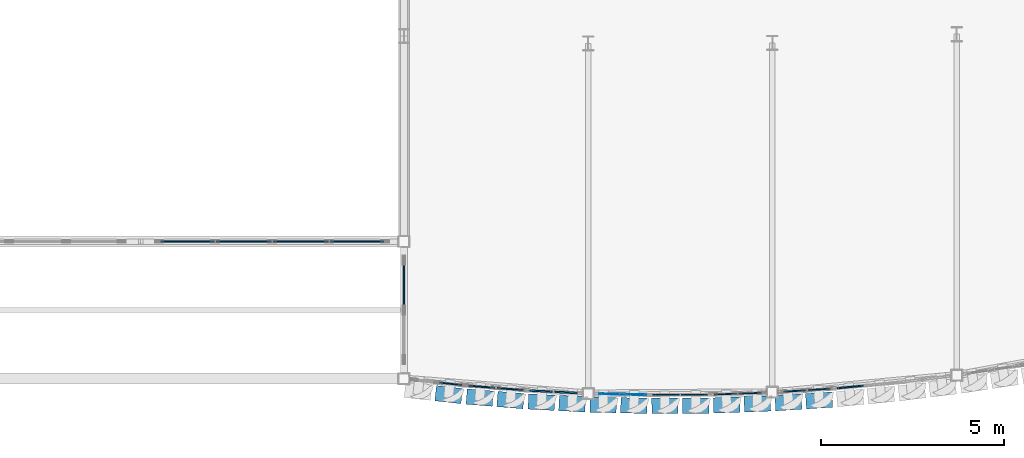
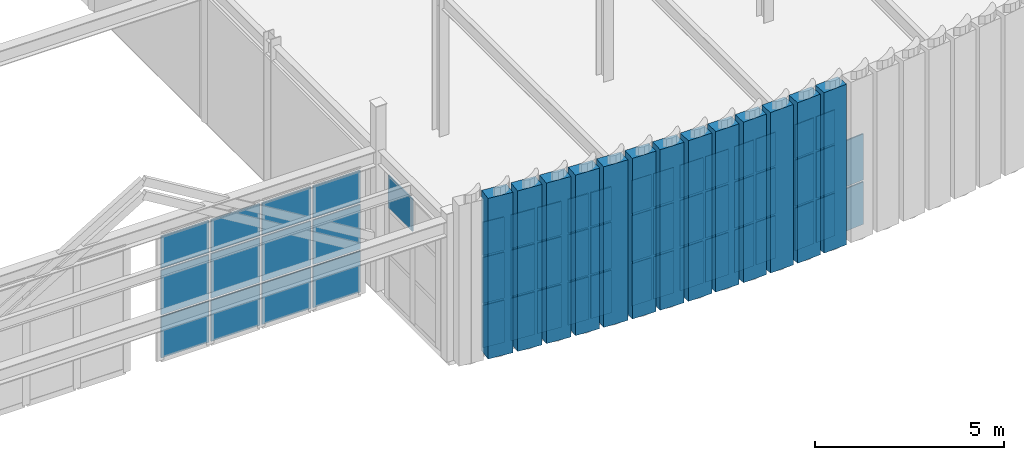
# One storey, part 89 of 126: 67 plates, 10 elements without a shape of their own.
"""IFC4 building model written with IfcOpenShell, lengths in metres."""

import ifcopenshell
import ifcopenshell.guid

model = None  # the IFC model being written
_history = None  # IfcOwnerHistory: only IFC2X3 demands one
_inside = {}  # id of a spatial element -> (the spatial element, [elements in it])
_under = {}  # id of a project, library or spatial element -> (it, [spatial elements below it])
_declared = {}  # id of a project -> (the project, [libraries it declares])
_typed = {}  # id of a type object -> (the type object, [elements of that type])
_made_of = {}  # id of a material, layer set ... -> (it, [elements and type objects made of it])


def new_model(schema):
    """Start an empty IFC model of exactly this schema.

    Asked for "IFC4X3", IfcOpenShell would pick the latest addendum, in which some entities
    have other attributes; the version numbers below select the first issue.
    IFC2X3 requires an IfcOwnerHistory on every rooted entity: one is made here for all.
    """
    global model, _history
    if schema == "IFC4X3":
        model = ifcopenshell.file(schema_version=(4, 3, 0, 0))
    else:
        model = ifcopenshell.file(schema=schema)
    _inside.clear()
    _under.clear()
    _declared.clear()
    _typed.clear()
    _made_of.clear()
    _history = None
    if model.schema == "IFC2X3":
        org = make("IfcOrganization", Name="unknown")
        user = make(
            "IfcPersonAndOrganization",
            ThePerson=make("IfcPerson", FamilyName="unknown"),
            TheOrganization=org,
        )
        app = make(
            "IfcApplication",
            ApplicationDeveloper=org,
            Version="unknown",
            ApplicationFullName="unknown",
            ApplicationIdentifier="unknown",
        )
        _history = make(
            "IfcOwnerHistory",
            OwningUser=user,
            OwningApplication=app,
            ChangeAction="ADDED",
            CreationDate=0,
        )
    return model


def make(cls, **values):
    """One entity of the class cls with the attributes given. An attribute that is None is left unset."""
    return model.create_entity(
        cls, **{name: value for name, value in values.items() if value is not None}
    )


def rooted(cls, **values):
    """An entity with a GlobalId (a new one), such as an element, a storey or a relation."""
    return make(cls, GlobalId=ifcopenshell.guid.new(), OwnerHistory=_history, **values)


def si_unit(unit_type, name, prefix=None):
    """IfcSIUnit, for example si_unit("LENGTHUNIT", "METRE", prefix="MILLI")."""
    return make("IfcSIUnit", UnitType=unit_type, Prefix=prefix, Name=name)


def assignment(units):
    """IfcUnitAssignment: the units of a project."""
    return None if units is None else make("IfcUnitAssignment", Units=units)


def point(xyz):
    """IfcCartesianPoint."""
    return None if xyz is None else make("IfcCartesianPoint", Coordinates=xyz)


def direction(xyz):
    """IfcDirection."""
    return None if xyz is None else make("IfcDirection", DirectionRatios=xyz)


def frame(location, z_axis=None, x_axis=None):
    """IfcAxis2Placement3D, a coordinate frame: its origin and axes. An axis left out is left unset."""
    return make(
        "IfcAxis2Placement3D",
        Location=point(location),
        Axis=direction(z_axis),
        RefDirection=direction(x_axis),
    )


def frame_2d(location, x_axis=None):
    """IfcAxis2Placement2D, a coordinate frame in the plane: its origin and x axis."""
    return make(
        "IfcAxis2Placement2D", Location=point(location), RefDirection=direction(x_axis)
    )


def origin():
    """The frame at (0, 0, 0) with its axes left unset."""
    return frame((0.0, 0.0, 0.0))


def origin_2d():
    """The frame at (0, 0) in the plane with its x axis left unset."""
    return frame_2d((0.0, 0.0))


def place(relative_to, where):
    """IfcLocalPlacement: puts the frame where relative to a parent placement (None: the world)."""
    return make(
        "IfcLocalPlacement", PlacementRelTo=relative_to, RelativePlacement=where
    )


def context(
    kind, dimensions, precision=None, world=None, true_north=None, identifier=None
):
    """IfcGeometricRepresentationContext, for example the 3D "Model" context."""
    return make(
        "IfcGeometricRepresentationContext",
        ContextIdentifier=identifier,
        ContextType=kind,
        CoordinateSpaceDimension=dimensions,
        Precision=precision,
        WorldCoordinateSystem=world,
        TrueNorth=true_north,
    )


def subcontext(parent, identifier, kind, view, scale=None):
    """IfcGeometricRepresentationSubContext, for example "Body" below "Model"."""
    return make(
        "IfcGeometricRepresentationSubContext",
        ContextIdentifier=identifier,
        ContextType=kind,
        ParentContext=parent,
        TargetScale=scale,
        TargetView=view,
    )


def project(units=None, contexts=None):
    """IfcProject with its units and contexts."""
    return rooted(
        "IfcProject",
        Name="project",
        RepresentationContexts=contexts,
        UnitsInContext=assignment(units),
    )


def spatial(cls, under=None, at=None, **own):
    """A site, building, storey or space (cls), placed at a placement, below another one or the project."""
    s = rooted(cls, ObjectPlacement=at, **own)
    if under is not None:
        _under.setdefault(under.id(), (under, []))[1].append(s)
    return s


def profile(cls, at=None, kind="AREA", **sizes):
    """A parametric profile (cls). Its sizes go by their IFC names, for example OverallWidth=200.0."""
    return make(cls, ProfileType=kind, Position=at, **sizes)


def rectangle(**sizes):
    """IfcRectangleProfileDef."""
    return profile("IfcRectangleProfileDef", **sizes)


def extrude(swept, where, along, depth):
    """IfcExtrudedAreaSolid: the profile swept, set in the frame where, extruded along a direction by depth."""
    return make(
        "IfcExtrudedAreaSolid",
        SweptArea=swept,
        Position=where,
        ExtrudedDirection=direction(along),
        Depth=depth,
    )


def shape(context_of_items, identifier, shape_type, items):
    """IfcShapeRepresentation: the items that make up one representation, for example the "Body"."""
    return make(
        "IfcShapeRepresentation",
        ContextOfItems=context_of_items,
        RepresentationIdentifier=identifier,
        RepresentationType=shape_type,
        Items=items,
    )


def material(Name=None, Category=None):
    """IfcMaterial."""
    return make("IfcMaterial", Name=Name, Category=Category)


def layer(
    of_material, thickness, ventilated=None, Name=None, Category=None, Priority=None
):
    """IfcMaterialLayer: one layer of a wall or slab, of a material (None: an air gap)."""
    return make(
        "IfcMaterialLayer",
        Material=of_material,
        LayerThickness=thickness,
        IsVentilated=ventilated,
        Name=Name,
        Category=Category,
        Priority=Priority,
    )


def layer_set(layers, Name=None):
    """IfcMaterialLayerSet."""
    return make("IfcMaterialLayerSet", MaterialLayers=layers, LayerSetName=Name)


def made_of(thing, what):
    """Note that an element or type object is made of a material, layer set ...; save() writes the relation."""
    if what is not None:
        _made_of.setdefault(what.id(), (what, []))[1].append(thing)
    return thing


def type_object(cls, material=None, **own):
    """A type object (cls), such as IfcWallType, which elements share."""
    return made_of(rooted(cls, **own), material)


def element(
    cls,
    number,
    at=None,
    inside=None,
    cuts=None,
    type_object=None,
    material=None,
    context=None,
    identifier="Body",
    shape_type=None,
    held_by="IfcProductDefinitionShape",
    body=None,
    shapes=None,
    **own,
):
    """One element of the class cls, such as IfcWall. Its Tag is "e" and its number.

    at: its placement. inside: the storey or other place that contains it. cuts: it is an
    opening in that element (IfcRelVoidsElement). A single representation is given by context,
    identifier, shape_type and body (its items); several are given by shapes. held_by: the class
    of the entity that holds the representations. save() writes the other relations.
    """
    e = rooted(cls, Tag="e%d" % number, ObjectPlacement=at, **own)
    if body is not None:
        shapes = [shape(context, identifier, shape_type, body)]
    if shapes is not None:
        e.Representation = make(held_by, Representations=shapes)
    if inside is not None:
        _inside.setdefault(inside.id(), (inside, []))[1].append(e)
    if cuts is not None:
        rooted(
            "IfcRelVoidsElement", RelatingBuildingElement=cuts, RelatedOpeningElement=e
        )
    if type_object is not None:
        _typed.setdefault(type_object.id(), (type_object, []))[1].append(e)
    return made_of(e, material)


def aggregate(whole, parts):
    """IfcRelAggregates: a whole, such as a stair, and the parts it consists of."""
    return rooted("IfcRelAggregates", RelatingObject=whole, RelatedObjects=parts)


def save(model, path):
    """Write the relations noted so far, then the file.

    IfcRelAggregates (storeys below a building ...), IfcRelContainedInSpatialStructure (elements
    in a storey), IfcRelDefinesByType, IfcRelAssociatesMaterial and IfcRelDeclares: one each for
    every whole, place, type object, material and project.
    """
    for whole, parts in _under.values():
        aggregate(whole, parts)
    for where, things in _inside.values():
        rooted(
            "IfcRelContainedInSpatialStructure",
            RelatedElements=things,
            RelatingStructure=where,
        )
    for kind, things in _typed.values():
        rooted("IfcRelDefinesByType", RelatedObjects=things, RelatingType=kind)
    for what, things in _made_of.values():
        rooted("IfcRelAssociatesMaterial", RelatedObjects=things, RelatingMaterial=what)
    for by, libraries in _declared.values():
        rooted("IfcRelDeclares", RelatingContext=by, RelatedDefinitions=libraries)
    model.write(path)


model = new_model("IFC4")

# Units and contexts
model_context = context("Model", 3, precision=1e-05, world=origin(), true_north=direction((0.0, 1.0)))
body_context = subcontext(model_context, "Body", "Model", "MODEL_VIEW")
ifc_project = project(units=[si_unit("LENGTHUNIT", "METRE"), si_unit("AREAUNIT", "SQUARE_METRE"), si_unit("VOLUMEUNIT", "CUBIC_METRE"), si_unit("PLANEANGLEUNIT", "RADIAN"), si_unit("MASSUNIT", "GRAM", prefix="KILO")], contexts=[model_context])

# Site, building, storey
site_placement = place(None, origin())
site = spatial("IfcSite", under=ifc_project, at=site_placement, CompositionType="ELEMENT")
building_placement = place(site_placement, origin())
building = spatial("IfcBuilding", under=site, at=building_placement, Name="Solvadek Multi-Sports Hall", CompositionType="ELEMENT")
storey_placement = place(building_placement, frame((0.0, 0.0, 9.60009765625)))
storey = spatial("IfcBuildingStorey", under=building, at=storey_placement, Name="L02", CompositionType="ELEMENT", Elevation=9.60009765625)

# Curtain wall, plates
ifc_material_1 = material(Name="Anodised aluminium", Category="aluminium")
ifc_layer_1 = layer(ifc_material_1, 0.159912109375, Name="Anodised aluminium")
ifc_layer_set_1 = layer_set([ifc_layer_1], Name="Anodised aluminium")
curtain_wall_type_1 = type_object("IfcCurtainWallType", Name="ENV-CW-141X420", PredefinedType="USERDEFINED", material=ifc_layer_set_1)
curtain_wall_1_placement = place(storey_placement, origin())
curtain_wall_1 = element("IfcCurtainWall", 1, at=curtain_wall_1_placement, inside=storey, type_object=curtain_wall_type_1, Name="L02 Crescent Curved Curtain Wall #62", ObjectType="CURTAIN WALL", PredefinedType="USERDEFINED")
ifc_material_2 = material(Name="Tempered laminated low-E glass", Category="glass")
ifc_layer_2 = layer(ifc_material_2, 0.02392578125, Name="Tempered laminated low-E glass")
ifc_layer_set_2 = layer_set([ifc_layer_2], Name="Tempered laminated low-E glass")
plate_type_1 = type_object("IfcPlateType", Name="ENV-CWP-01", PredefinedType="CURTAIN_PANEL", material=ifc_layer_set_2)
plate_1_placement = place(storey_placement, frame((92.04736328125, -13.173583984375, 0.06494140625), z_axis=(0.0, 0.0, 1.0), x_axis=(0.999742603622, -0.022687584801, 0.0)))
plate_1 = element("IfcPlate", 2, at=plate_1_placement, type_object=plate_type_1, Name="CW-28 panel 1.1", PredefinedType="CURTAIN_PANEL", context=body_context, shape_type="SweptSolid", body=[
    extrude(rectangle(XDim=0.615234375, YDim=0.02392578125, at=origin_2d()), origin(), (0.0, 0.0, 1.0), 1.37255859375),
])
plate_2_placement = place(storey_placement, frame((92.04736328125, -13.173583984375, 1.50244140625), z_axis=(0.0, 0.0, 1.0), x_axis=(0.999742603622, -0.022687584801, 0.0)))
plate_2 = element("IfcPlate", 3, at=plate_2_placement, type_object=plate_type_1, Name="CW-28 panel 1.2", PredefinedType="CURTAIN_PANEL", context=body_context, shape_type="SweptSolid", body=[
    extrude(rectangle(XDim=0.615234375, YDim=0.02392578125, at=origin_2d()), origin(), (0.0, 0.0, 1.0), 1.489013671875),
])
plate_3_placement = place(storey_placement, frame((92.04736328125, -13.173583984375, 3.056396484375), z_axis=(0.0, 0.0, 1.0), x_axis=(0.999742603622, -0.022687584801, 0.0)))
plate_3 = element("IfcPlate", 4, at=plate_3_placement, type_object=plate_type_1, Name="CW-28 panel 1.3", PredefinedType="CURTAIN_PANEL", context=body_context, shape_type="SweptSolid", body=[
    extrude(rectangle(XDim=0.615234375, YDim=0.02392578125, at=origin_2d()), origin(), (0.0, 0.0, 1.0), 1.07861328125),
])
plate_4_placement = place(storey_placement, frame((92.722412109375, -13.18896484375, 0.06494140625), z_axis=(0.0, 0.0, 1.0), x_axis=(0.999742603622, -0.022687584801, 0.0)))
plate_4 = element("IfcPlate", 5, at=plate_4_placement, type_object=plate_type_1, Name="CW-28 panel 2.1", PredefinedType="CURTAIN_PANEL", context=body_context, shape_type="SweptSolid", body=[
    extrude(rectangle(XDim=0.615234375, YDim=0.02392578125, at=origin_2d()), origin(), (0.0, 0.0, 1.0), 1.37255859375),
])
plate_5_placement = place(storey_placement, frame((92.722412109375, -13.18896484375, 1.50244140625), z_axis=(0.0, 0.0, 1.0), x_axis=(0.999742603622, -0.022687584801, 0.0)))
plate_5 = element("IfcPlate", 6, at=plate_5_placement, type_object=plate_type_1, Name="CW-28 panel 2.2", PredefinedType="CURTAIN_PANEL", context=body_context, shape_type="SweptSolid", body=[
    extrude(rectangle(XDim=0.615234375, YDim=0.02392578125, at=origin_2d()), origin(), (0.0, 0.0, 1.0), 1.489013671875),
])
plate_6_placement = place(storey_placement, frame((92.722412109375, -13.18896484375, 3.056396484375), z_axis=(0.0, 0.0, 1.0), x_axis=(0.999742603622, -0.022687584801, 0.0)))
plate_6 = element("IfcPlate", 7, at=plate_6_placement, type_object=plate_type_1, Name="CW-28 panel 2.3", PredefinedType="CURTAIN_PANEL", context=body_context, shape_type="SweptSolid", body=[
    extrude(rectangle(XDim=0.615234375, YDim=0.02392578125, at=origin_2d()), origin(), (0.0, 0.0, 1.0), 1.07861328125),
])
aggregate(curtain_wall_1, [plate_1, plate_2, plate_3, plate_4, plate_5, plate_6])

ifc_layer_3 = layer(ifc_material_1, 0.159912109375, Name="Anodised aluminium")
ifc_layer_set_3 = layer_set([ifc_layer_3], Name="Anodised aluminium")
curtain_wall_type_2 = type_object("IfcCurtainWallType", Name="ENV-CW-162X420", PredefinedType="USERDEFINED", material=ifc_layer_set_3)
curtain_wall_2_placement = place(storey_placement, origin())
curtain_wall_2 = element("IfcCurtainWall", 8, at=curtain_wall_2_placement, inside=storey, type_object=curtain_wall_type_2, Name="L02 Crescent Curved Curtain Wall #64", ObjectType="CURTAIN WALL", PredefinedType="USERDEFINED")
ifc_layer_4 = layer(ifc_material_2, 0.028076171875, Name="Tempered laminated low-E glass")
ifc_layer_set_4 = layer_set([ifc_layer_4], Name="Tempered laminated low-E glass")
plate_type_2 = type_object("IfcPlateType", Name="ENV-CWP-02", PredefinedType="CURTAIN_PANEL", material=ifc_layer_set_4)
plate_7_placement = place(storey_placement, frame((93.5712890625, -13.1953125, 0.06494140625), z_axis=(0.0, 0.0, 1.0), x_axis=(0.999980948571, 0.0061727219, 0.0)))
plate_7 = element("IfcPlate", 9, at=plate_7_placement, type_object=plate_type_2, Name="CW-29 panel 1.1", PredefinedType="CURTAIN_PANEL", context=body_context, shape_type="SweptSolid", body=[
    extrude(rectangle(XDim=0.71240234375, YDim=0.028076171875, at=origin_2d()), origin(), (0.0, 0.0, 1.0), 1.37255859375),
])
plate_8_placement = place(storey_placement, frame((93.5712890625, -13.1953125, 1.50244140625), z_axis=(0.0, 0.0, 1.0), x_axis=(0.999980948571, 0.0061727219, 0.0)))
plate_8 = element("IfcPlate", 10, at=plate_8_placement, type_object=plate_type_2, Name="CW-29 panel 1.2", PredefinedType="CURTAIN_PANEL", context=body_context, shape_type="SweptSolid", body=[
    extrude(rectangle(XDim=0.71240234375, YDim=0.028076171875, at=origin_2d()), origin(), (0.0, 0.0, 1.0), 1.489013671875),
])
plate_9_placement = place(storey_placement, frame((93.5712890625, -13.1953125, 3.056396484375), z_axis=(0.0, 0.0, 1.0), x_axis=(0.999980948571, 0.0061727219, 0.0)))
plate_9 = element("IfcPlate", 11, at=plate_9_placement, type_object=plate_type_2, Name="CW-29 panel 1.3", PredefinedType="CURTAIN_PANEL", context=body_context, shape_type="SweptSolid", body=[
    extrude(rectangle(XDim=0.71240234375, YDim=0.028076171875, at=origin_2d()), origin(), (0.0, 0.0, 1.0), 1.07861328125),
])
plate_10_placement = place(storey_placement, frame((94.3486328125, -13.1904296875, 0.06494140625), z_axis=(0.0, 0.0, 1.0), x_axis=(0.999980948571, 0.0061727219, 0.0)))
plate_10 = element("IfcPlate", 12, at=plate_10_placement, type_object=plate_type_2, Name="CW-29 panel 2.1", PredefinedType="CURTAIN_PANEL", context=body_context, shape_type="SweptSolid", body=[
    extrude(rectangle(XDim=0.71240234375, YDim=0.028076171875, at=origin_2d()), origin(), (0.0, 0.0, 1.0), 1.37255859375),
])
plate_11_placement = place(storey_placement, frame((94.3486328125, -13.1904296875, 1.50244140625), z_axis=(0.0, 0.0, 1.0), x_axis=(0.999980948571, 0.0061727219, 0.0)))
plate_11 = element("IfcPlate", 13, at=plate_11_placement, type_object=plate_type_2, Name="CW-29 panel 2.2", PredefinedType="CURTAIN_PANEL", context=body_context, shape_type="SweptSolid", body=[
    extrude(rectangle(XDim=0.71240234375, YDim=0.028076171875, at=origin_2d()), origin(), (0.0, 0.0, 1.0), 1.489013671875),
])
plate_12_placement = place(storey_placement, frame((94.3486328125, -13.1904296875, 3.056396484375), z_axis=(0.0, 0.0, 1.0), x_axis=(0.999980948571, 0.0061727219, 0.0)))
plate_12 = element("IfcPlate", 14, at=plate_12_placement, type_object=plate_type_2, Name="CW-29 panel 2.3", PredefinedType="CURTAIN_PANEL", context=body_context, shape_type="SweptSolid", body=[
    extrude(rectangle(XDim=0.71240234375, YDim=0.028076171875, at=origin_2d()), origin(), (0.0, 0.0, 1.0), 1.07861328125),
])
aggregate(curtain_wall_2, [plate_7, plate_8, plate_9, plate_10, plate_11, plate_12])

curtain_wall_3_placement = place(storey_placement, origin())
curtain_wall_3 = element("IfcCurtainWall", 15, at=curtain_wall_3_placement, inside=storey, type_object=curtain_wall_type_1, Name="L02 Crescent Curved Curtain Wall #66", ObjectType="CURTAIN WALL", PredefinedType="USERDEFINED")
ifc_layer_5 = layer(ifc_material_2, 0.031982421875, Name="Tempered laminated low-E glass")
ifc_layer_set_5 = layer_set([ifc_layer_5], Name="Tempered laminated low-E glass")
plate_type_3 = type_object("IfcPlateType", Name="ENV-CWP-03", PredefinedType="CURTAIN_PANEL", material=ifc_layer_set_5)
plate_13_placement = place(storey_placement, frame((95.19873046875, -13.173583984375, 0.06005859375), z_axis=(0.0, 0.0, 1.0), x_axis=(0.999386909564, 0.035011498004, 0.0)))
plate_13 = element("IfcPlate", 16, at=plate_13_placement, type_object=plate_type_3, Name="CW-28 panel 1.1", PredefinedType="CURTAIN_PANEL", context=body_context, shape_type="SweptSolid", body=[
    extrude(rectangle(XDim=0.60791015625, YDim=0.031982421875, at=origin_2d()), origin(), (0.0, 0.0, 1.0), 1.3798828125),
])
plate_14_placement = place(storey_placement, frame((95.19873046875, -13.173583984375, 1.5), z_axis=(0.0, 0.0, 1.0), x_axis=(0.999386909564, 0.035011498004, 0.0)))
plate_14 = element("IfcPlate", 17, at=plate_14_placement, type_object=plate_type_3, Name="CW-28 panel 1.2", PredefinedType="CURTAIN_PANEL", context=body_context, shape_type="SweptSolid", body=[
    extrude(rectangle(XDim=0.60791015625, YDim=0.031982421875, at=origin_2d()), origin(), (0.0, 0.0, 1.0), 1.493896484375),
])
plate_15_placement = place(storey_placement, frame((95.19873046875, -13.173583984375, 3.053955078125), z_axis=(0.0, 0.0, 1.0), x_axis=(0.999386909564, 0.035011498004, 0.0)))
plate_15 = element("IfcPlate", 18, at=plate_15_placement, type_object=plate_type_3, Name="CW-28 panel 1.3", PredefinedType="CURTAIN_PANEL", context=body_context, shape_type="SweptSolid", body=[
    extrude(rectangle(XDim=0.60791015625, YDim=0.031982421875, at=origin_2d()), origin(), (0.0, 0.0, 1.0), 1.0859375),
])
plate_16_placement = place(storey_placement, frame((95.871337890625, -13.14990234375, 0.06005859375), z_axis=(0.0, 0.0, 1.0), x_axis=(0.999386909564, 0.035011498004, 0.0)))
plate_16 = element("IfcPlate", 19, at=plate_16_placement, type_object=plate_type_3, Name="CW-28 panel 2.1", PredefinedType="CURTAIN_PANEL", context=body_context, shape_type="SweptSolid", body=[
    extrude(rectangle(XDim=0.60791015625, YDim=0.031982421875, at=origin_2d()), origin(), (0.0, 0.0, 1.0), 1.3798828125),
])
plate_17_placement = place(storey_placement, frame((95.871337890625, -13.14990234375, 1.5), z_axis=(0.0, 0.0, 1.0), x_axis=(0.999386909564, 0.035011498004, 0.0)))
plate_17 = element("IfcPlate", 20, at=plate_17_placement, type_object=plate_type_3, Name="CW-28 panel 2.2", PredefinedType="CURTAIN_PANEL", context=body_context, shape_type="SweptSolid", body=[
    extrude(rectangle(XDim=0.60791015625, YDim=0.031982421875, at=origin_2d()), origin(), (0.0, 0.0, 1.0), 1.493896484375),
])
plate_18_placement = place(storey_placement, frame((95.871337890625, -13.14990234375, 3.053955078125), z_axis=(0.0, 0.0, 1.0), x_axis=(0.999386909564, 0.035011498004, 0.0)))
plate_18 = element("IfcPlate", 21, at=plate_18_placement, type_object=plate_type_3, Name="CW-28 panel 2.3", PredefinedType="CURTAIN_PANEL", context=body_context, shape_type="SweptSolid", body=[
    extrude(rectangle(XDim=0.60791015625, YDim=0.031982421875, at=origin_2d()), origin(), (0.0, 0.0, 1.0), 1.0859375),
])
aggregate(curtain_wall_3, [plate_13, plate_14, plate_15, plate_16, plate_17, plate_18])

ifc_layer_6 = layer(ifc_material_1, 0.159912109375, Name="Anodised aluminium")
ifc_layer_set_6 = layer_set([ifc_layer_6], Name="Anodised aluminium")
curtain_wall_type_3 = type_object("IfcCurtainWallType", Name="ENV-CW-142X420", PredefinedType="USERDEFINED", material=ifc_layer_set_6)
curtain_wall_4_placement = place(storey_placement, origin())
curtain_wall_4 = element("IfcCurtainWall", 22, at=curtain_wall_4_placement, inside=storey, type_object=curtain_wall_type_3, Name="L02 Crescent Curved Curtain Wall #56", ObjectType="CURTAIN WALL", PredefinedType="USERDEFINED")
ifc_layer_7 = layer(ifc_material_2, 0.035888671875, Name="Tempered laminated low-E glass")
ifc_layer_set_7 = layer_set([ifc_layer_7], Name="Tempered laminated low-E glass")
plate_type_4 = type_object("IfcPlateType", Name="ENV-CWP-04", PredefinedType="CURTAIN_PANEL", material=ifc_layer_set_7)
plate_19_placement = place(storey_placement, frame((87.68115234375, -12.893798828125, 0.06494140625), z_axis=(0.0, 0.0, 1.0), x_axis=(0.994010171032, -0.109287601694, 0.0)))
plate_19 = element("IfcPlate", 23, at=plate_19_placement, type_object=plate_type_4, Name="CW-27 panel 2.1", PredefinedType="CURTAIN_PANEL", context=body_context, shape_type="SweptSolid", body=[
    extrude(rectangle(XDim=0.612548828125, YDim=0.035888671875, at=origin_2d()), origin(), (0.0, 0.0, 1.0), 1.37255859375),
])
plate_20_placement = place(storey_placement, frame((87.68115234375, -12.893798828125, 1.50244140625), z_axis=(0.0, 0.0, 1.0), x_axis=(0.994010171032, -0.109287601694, 0.0)))
plate_20 = element("IfcPlate", 24, at=plate_20_placement, type_object=plate_type_4, Name="CW-27 panel 2.2", PredefinedType="CURTAIN_PANEL", context=body_context, shape_type="SweptSolid", body=[
    extrude(rectangle(XDim=0.612548828125, YDim=0.035888671875, at=origin_2d()), origin(), (0.0, 0.0, 1.0), 1.489013671875),
])
plate_21_placement = place(storey_placement, frame((87.68115234375, -12.893798828125, 3.056396484375), z_axis=(0.0, 0.0, 1.0), x_axis=(0.994010171032, -0.109287601694, 0.0)))
plate_21 = element("IfcPlate", 25, at=plate_21_placement, type_object=plate_type_4, Name="CW-27 panel 2.3", PredefinedType="CURTAIN_PANEL", context=body_context, shape_type="SweptSolid", body=[
    extrude(rectangle(XDim=0.612548828125, YDim=0.035888671875, at=origin_2d()), origin(), (0.0, 0.0, 1.0), 1.07861328125),
])
aggregate(curtain_wall_4, [plate_19, plate_20, plate_21])

curtain_wall_5_placement = place(storey_placement, origin())
curtain_wall_5 = element("IfcCurtainWall", 26, at=curtain_wall_5_placement, inside=storey, type_object=curtain_wall_type_1, Name="L02 Crescent Curved Curtain Wall #68", ObjectType="CURTAIN WALL", PredefinedType="USERDEFINED")
plate_22_placement = place(storey_placement, frame((97.089599609375, -13.089599609375, 0.06005859375), z_axis=(0.0, 0.0, 1.0), x_axis=(0.997952783049, 0.063955006096, 0.0)))
plate_22 = element("IfcPlate", 27, at=plate_22_placement, type_object=plate_type_4, Name="CW-28 panel 1.1", PredefinedType="CURTAIN_PANEL", context=body_context, shape_type="SweptSolid", body=[
    extrude(rectangle(XDim=0.601806640625, YDim=0.035888671875, at=origin_2d()), origin(), (0.0, 0.0, 1.0), 1.3798828125),
])
plate_23_placement = place(storey_placement, frame((97.089599609375, -13.089599609375, 1.5), z_axis=(0.0, 0.0, 1.0), x_axis=(0.997952783049, 0.063955006096, 0.0)))
plate_23 = element("IfcPlate", 28, at=plate_23_placement, type_object=plate_type_4, Name="CW-28 panel 1.2", PredefinedType="CURTAIN_PANEL", context=body_context, shape_type="SweptSolid", body=[
    extrude(rectangle(XDim=0.601806640625, YDim=0.035888671875, at=origin_2d()), origin(), (0.0, 0.0, 1.0), 1.493896484375),
])
plate_24_placement = place(storey_placement, frame((97.089599609375, -13.089599609375, 3.053955078125), z_axis=(0.0, 0.0, 1.0), x_axis=(0.997952783049, 0.063955006096, 0.0)))
plate_24 = element("IfcPlate", 29, at=plate_24_placement, type_object=plate_type_4, Name="CW-28 panel 1.3", PredefinedType="CURTAIN_PANEL", context=body_context, shape_type="SweptSolid", body=[
    extrude(rectangle(XDim=0.601806640625, YDim=0.035888671875, at=origin_2d()), origin(), (0.0, 0.0, 1.0), 1.0859375),
])
plate_25_placement = place(storey_placement, frame((97.760009765625, -13.046630859375, 0.06005859375), z_axis=(0.0, 0.0, 1.0), x_axis=(0.997952783049, 0.063955006096, 0.0)))
plate_25 = element("IfcPlate", 30, at=plate_25_placement, type_object=plate_type_4, Name="CW-28 panel 2.1", PredefinedType="CURTAIN_PANEL", context=body_context, shape_type="SweptSolid", body=[
    extrude(rectangle(XDim=0.601806640625, YDim=0.035888671875, at=origin_2d()), origin(), (0.0, 0.0, 1.0), 1.3798828125),
])
plate_26_placement = place(storey_placement, frame((97.760009765625, -13.046630859375, 1.5), z_axis=(0.0, 0.0, 1.0), x_axis=(0.997952783049, 0.063955006096, 0.0)))
plate_26 = element("IfcPlate", 31, at=plate_26_placement, type_object=plate_type_4, Name="CW-28 panel 2.2", PredefinedType="CURTAIN_PANEL", context=body_context, shape_type="SweptSolid", body=[
    extrude(rectangle(XDim=0.601806640625, YDim=0.035888671875, at=origin_2d()), origin(), (0.0, 0.0, 1.0), 1.493896484375),
])
plate_27_placement = place(storey_placement, frame((97.760009765625, -13.046630859375, 3.053955078125), z_axis=(0.0, 0.0, 1.0), x_axis=(0.997952783049, 0.063955006096, 0.0)))
plate_27 = element("IfcPlate", 32, at=plate_27_placement, type_object=plate_type_4, Name="CW-28 panel 2.3", PredefinedType="CURTAIN_PANEL", context=body_context, shape_type="SweptSolid", body=[
    extrude(rectangle(XDim=0.601806640625, YDim=0.035888671875, at=origin_2d()), origin(), (0.0, 0.0, 1.0), 1.0859375),
])
aggregate(curtain_wall_5, [plate_22, plate_23, plate_24, plate_25, plate_26, plate_27])

ifc_layer_8 = layer(ifc_material_1, 0.159912109375, Name="Anodised aluminium")
ifc_layer_set_8 = layer_set([ifc_layer_8], Name="Anodised aluminium")
curtain_wall_type_4 = type_object("IfcCurtainWallType", Name="ENV-CW-624X408", PredefinedType="USERDEFINED", material=ifc_layer_set_8)
curtain_wall_6_placement = place(storey_placement, origin())
curtain_wall_6 = element("IfcCurtainWall", 33, at=curtain_wall_6_placement, inside=storey, type_object=curtain_wall_type_4, Name="L02 Perimeter Bay Curtain Wall #119", ObjectType="CURTAIN WALL", PredefinedType="USERDEFINED")
plate_28_placement = place(storey_placement, frame((80.476318359375, -9.0, 0.06494140625), z_axis=(0.0, 0.0, 1.0), x_axis=(1.0, 0.0, 0.0)))
plate_28 = element("IfcPlate", 34, at=plate_28_placement, type_object=plate_type_4, Name="CW-40 panel 1.1", PredefinedType="CURTAIN_PANEL", context=body_context, shape_type="SweptSolid", body=[
    extrude(rectangle(XDim=1.46240234375, YDim=0.035888671875, at=origin_2d()), origin(), (0.0, 0.0, 1.0), 1.32861328125),
])
plate_29_placement = place(storey_placement, frame((80.476318359375, -9.0, 1.45849609375), z_axis=(0.0, 0.0, 1.0), x_axis=(1.0, 0.0, 0.0)))
plate_29 = element("IfcPlate", 35, at=plate_29_placement, type_object=plate_type_4, Name="CW-40 panel 1.2", PredefinedType="CURTAIN_PANEL", context=body_context, shape_type="SweptSolid", body=[
    extrude(rectangle(XDim=1.46240234375, YDim=0.035888671875, at=origin_2d()), origin(), (0.0, 0.0, 1.0), 1.443115234375),
])
plate_30_placement = place(storey_placement, frame((80.476318359375, -9.0, 2.96630859375), z_axis=(0.0, 0.0, 1.0), x_axis=(1.0, 0.0, 0.0)))
plate_30 = element("IfcPlate", 36, at=plate_30_placement, type_object=plate_type_4, Name="CW-40 panel 1.3", PredefinedType="CURTAIN_PANEL", context=body_context, shape_type="SweptSolid", body=[
    extrude(rectangle(XDim=1.46240234375, YDim=0.035888671875, at=origin_2d()), origin(), (0.0, 0.0, 1.0), 1.04345703125),
])
plate_31_placement = place(storey_placement, frame((82.02001953125, -9.0, 0.06494140625), z_axis=(0.0, 0.0, 1.0), x_axis=(1.0, 0.0, 0.0)))
plate_31 = element("IfcPlate", 37, at=plate_31_placement, type_object=plate_type_4, Name="CW-40 panel 2.1", PredefinedType="CURTAIN_PANEL", context=body_context, shape_type="SweptSolid", body=[
    extrude(rectangle(XDim=1.4951171875, YDim=0.035888671875, at=origin_2d()), origin(), (0.0, 0.0, 1.0), 1.32861328125),
])
plate_32_placement = place(storey_placement, frame((82.02001953125, -9.0, 1.45849609375), z_axis=(0.0, 0.0, 1.0), x_axis=(1.0, 0.0, 0.0)))
plate_32 = element("IfcPlate", 38, at=plate_32_placement, type_object=plate_type_4, Name="CW-40 panel 2.2", PredefinedType="CURTAIN_PANEL", context=body_context, shape_type="SweptSolid", body=[
    extrude(rectangle(XDim=1.4951171875, YDim=0.035888671875, at=origin_2d()), origin(), (0.0, 0.0, 1.0), 1.443115234375),
])
plate_33_placement = place(storey_placement, frame((82.02001953125, -9.0, 2.96630859375), z_axis=(0.0, 0.0, 1.0), x_axis=(1.0, 0.0, 0.0)))
plate_33 = element("IfcPlate", 39, at=plate_33_placement, type_object=plate_type_4, Name="CW-40 panel 2.3", PredefinedType="CURTAIN_PANEL", context=body_context, shape_type="SweptSolid", body=[
    extrude(rectangle(XDim=1.4951171875, YDim=0.035888671875, at=origin_2d()), origin(), (0.0, 0.0, 1.0), 1.04345703125),
])
plate_34_placement = place(storey_placement, frame((83.580078125, -9.0, 0.06494140625), z_axis=(0.0, 0.0, 1.0), x_axis=(1.0, 0.0, 0.0)))
plate_34 = element("IfcPlate", 40, at=plate_34_placement, type_object=plate_type_4, Name="CW-40 panel 3.1", PredefinedType="CURTAIN_PANEL", context=body_context, shape_type="SweptSolid", body=[
    extrude(rectangle(XDim=1.4951171875, YDim=0.035888671875, at=origin_2d()), origin(), (0.0, 0.0, 1.0), 1.32861328125),
])
plate_35_placement = place(storey_placement, frame((83.580078125, -9.0, 1.45849609375), z_axis=(0.0, 0.0, 1.0), x_axis=(1.0, 0.0, 0.0)))
plate_35 = element("IfcPlate", 41, at=plate_35_placement, type_object=plate_type_4, Name="CW-40 panel 3.2", PredefinedType="CURTAIN_PANEL", context=body_context, shape_type="SweptSolid", body=[
    extrude(rectangle(XDim=1.4951171875, YDim=0.035888671875, at=origin_2d()), origin(), (0.0, 0.0, 1.0), 1.443115234375),
])
plate_36_placement = place(storey_placement, frame((83.580078125, -9.0, 2.96630859375), z_axis=(0.0, 0.0, 1.0), x_axis=(1.0, 0.0, 0.0)))
plate_36 = element("IfcPlate", 42, at=plate_36_placement, type_object=plate_type_4, Name="CW-40 panel 3.3", PredefinedType="CURTAIN_PANEL", context=body_context, shape_type="SweptSolid", body=[
    extrude(rectangle(XDim=1.4951171875, YDim=0.035888671875, at=origin_2d()), origin(), (0.0, 0.0, 1.0), 1.04345703125),
])
plate_37_placement = place(storey_placement, frame((85.123779296875, -9.0, 0.06494140625), z_axis=(0.0, 0.0, 1.0), x_axis=(1.0, 0.0, 0.0)))
plate_37 = element("IfcPlate", 43, at=plate_37_placement, type_object=plate_type_4, Name="CW-40 panel 4.1", PredefinedType="CURTAIN_PANEL", context=body_context, shape_type="SweptSolid", body=[
    extrude(rectangle(XDim=1.46240234375, YDim=0.035888671875, at=origin_2d()), origin(), (0.0, 0.0, 1.0), 1.32861328125),
])
plate_38_placement = place(storey_placement, frame((85.123779296875, -9.0, 1.45849609375), z_axis=(0.0, 0.0, 1.0), x_axis=(1.0, 0.0, 0.0)))
plate_38 = element("IfcPlate", 44, at=plate_38_placement, type_object=plate_type_4, Name="CW-40 panel 4.2", PredefinedType="CURTAIN_PANEL", context=body_context, shape_type="SweptSolid", body=[
    extrude(rectangle(XDim=1.46240234375, YDim=0.035888671875, at=origin_2d()), origin(), (0.0, 0.0, 1.0), 1.443115234375),
])
plate_39_placement = place(storey_placement, frame((85.123779296875, -9.0, 2.96630859375), z_axis=(0.0, 0.0, 1.0), x_axis=(1.0, 0.0, 0.0)))
plate_39 = element("IfcPlate", 45, at=plate_39_placement, type_object=plate_type_4, Name="CW-40 panel 4.3", PredefinedType="CURTAIN_PANEL", context=body_context, shape_type="SweptSolid", body=[
    extrude(rectangle(XDim=1.46240234375, YDim=0.035888671875, at=origin_2d()), origin(), (0.0, 0.0, 1.0), 1.04345703125),
])
aggregate(curtain_wall_6, [plate_28, plate_29, plate_30, plate_31, plate_32, plate_33, plate_34, plate_35, plate_36, plate_37, plate_38, plate_39])

ifc_layer_9 = layer(ifc_material_1, 0.159912109375, Name="Anodised aluminium")
ifc_layer_set_9 = layer_set([ifc_layer_9], Name="Anodised aluminium")
curtain_wall_type_5 = type_object("IfcCurtainWallType", Name="ENV-CW-163X420", PredefinedType="USERDEFINED", material=ifc_layer_set_9)
curtain_wall_7_placement = place(storey_placement, origin())
curtain_wall_7 = element("IfcCurtainWall", 46, at=curtain_wall_7_placement, inside=storey, type_object=curtain_wall_type_5, Name="L02 Crescent Curved Curtain Wall #58", ObjectType="CURTAIN WALL", PredefinedType="USERDEFINED")
ifc_layer_10 = layer(ifc_material_2, 0.0419921875, Name="Tempered laminated low-E glass")
ifc_layer_set_10 = layer_set([ifc_layer_10], Name="Tempered laminated low-E glass")
plate_type_5 = type_object("IfcPlateType", Name="ENV-CWP-05", PredefinedType="CURTAIN_PANEL", material=ifc_layer_set_10)
plate_40_placement = place(storey_placement, frame((88.532470703125, -12.97412109375, 0.06005859375), z_axis=(0.0, 0.0, 1.0), x_axis=(0.996757114015, -0.080468973281, 0.0)))
plate_40 = element("IfcPlate", 47, at=plate_40_placement, type_object=plate_type_5, Name="CW-15 panel 1.1", PredefinedType="CURTAIN_PANEL", context=body_context, shape_type="SweptSolid", body=[
    extrude(rectangle(XDim=0.707763671875, YDim=0.0419921875, at=origin_2d()), origin(), (0.0, 0.0, 1.0), 1.3798828125),
])
plate_41_placement = place(storey_placement, frame((88.532470703125, -12.97412109375, 1.5), z_axis=(0.0, 0.0, 1.0), x_axis=(0.996757114015, -0.080468973281, 0.0)))
plate_41 = element("IfcPlate", 48, at=plate_41_placement, type_object=plate_type_5, Name="CW-15 panel 1.2", PredefinedType="CURTAIN_PANEL", context=body_context, shape_type="SweptSolid", body=[
    extrude(rectangle(XDim=0.707763671875, YDim=0.0419921875, at=origin_2d()), origin(), (0.0, 0.0, 1.0), 1.493896484375),
])
plate_42_placement = place(storey_placement, frame((88.532470703125, -12.97412109375, 3.053955078125), z_axis=(0.0, 0.0, 1.0), x_axis=(0.996757114015, -0.080468973281, 0.0)))
plate_42 = element("IfcPlate", 49, at=plate_42_placement, type_object=plate_type_5, Name="CW-15 panel 1.3", PredefinedType="CURTAIN_PANEL", context=body_context, shape_type="SweptSolid", body=[
    extrude(rectangle(XDim=0.707763671875, YDim=0.0419921875, at=origin_2d()), origin(), (0.0, 0.0, 1.0), 1.0859375),
])
plate_43_placement = place(storey_placement, frame((89.3076171875, -13.03662109375, 0.06005859375), z_axis=(0.0, 0.0, 1.0), x_axis=(0.996757114015, -0.080468973281, 0.0)))
plate_43 = element("IfcPlate", 50, at=plate_43_placement, type_object=plate_type_5, Name="CW-15 panel 2.1", PredefinedType="CURTAIN_PANEL", context=body_context, shape_type="SweptSolid", body=[
    extrude(rectangle(XDim=0.707763671875, YDim=0.0419921875, at=origin_2d()), origin(), (0.0, 0.0, 1.0), 1.3798828125),
])
plate_44_placement = place(storey_placement, frame((89.3076171875, -13.03662109375, 1.5), z_axis=(0.0, 0.0, 1.0), x_axis=(0.996757114015, -0.080468973281, 0.0)))
plate_44 = element("IfcPlate", 51, at=plate_44_placement, type_object=plate_type_5, Name="CW-15 panel 2.2", PredefinedType="CURTAIN_PANEL", context=body_context, shape_type="SweptSolid", body=[
    extrude(rectangle(XDim=0.707763671875, YDim=0.0419921875, at=origin_2d()), origin(), (0.0, 0.0, 1.0), 1.493896484375),
])
plate_45_placement = place(storey_placement, frame((89.3076171875, -13.03662109375, 3.053955078125), z_axis=(0.0, 0.0, 1.0), x_axis=(0.996757114015, -0.080468973281, 0.0)))
plate_45 = element("IfcPlate", 52, at=plate_45_placement, type_object=plate_type_5, Name="CW-15 panel 2.3", PredefinedType="CURTAIN_PANEL", context=body_context, shape_type="SweptSolid", body=[
    extrude(rectangle(XDim=0.707763671875, YDim=0.0419921875, at=origin_2d()), origin(), (0.0, 0.0, 1.0), 1.0859375),
])
aggregate(curtain_wall_7, [plate_40, plate_41, plate_42, plate_43, plate_44, plate_45])

curtain_wall_8_placement = place(storey_placement, origin())
curtain_wall_8 = element("IfcCurtainWall", 53, at=curtain_wall_8_placement, inside=storey, type_object=curtain_wall_type_5, Name="L02 Crescent Curved Curtain Wall #70", ObjectType="CURTAIN WALL", PredefinedType="USERDEFINED")
plate_46_placement = place(storey_placement, frame((98.60986328125, -12.979248046875, 0.06494140625), z_axis=(0.0, 0.0, 1.0), x_axis=(0.995685120678, 0.092796230852, 0.0)))
plate_46 = element("IfcPlate", 54, at=plate_46_placement, type_object=plate_type_5, Name="CW-15 panel 1.1", PredefinedType="CURTAIN_PANEL", context=body_context, shape_type="SweptSolid", body=[
    extrude(rectangle(XDim=0.7236328125, YDim=0.0419921875, at=origin_2d()), origin(), (0.0, 0.0, 1.0), 1.37255859375),
])
plate_47_placement = place(storey_placement, frame((98.60986328125, -12.979248046875, 1.50244140625), z_axis=(0.0, 0.0, 1.0), x_axis=(0.995685120678, 0.092796230852, 0.0)))
plate_47 = element("IfcPlate", 55, at=plate_47_placement, type_object=plate_type_5, Name="CW-15 panel 1.2", PredefinedType="CURTAIN_PANEL", context=body_context, shape_type="SweptSolid", body=[
    extrude(rectangle(XDim=0.7236328125, YDim=0.0419921875, at=origin_2d()), origin(), (0.0, 0.0, 1.0), 1.489013671875),
])
aggregate(curtain_wall_8, [plate_46, plate_47])

# Curtain wall, plate
ifc_layer_11 = layer(ifc_material_1, 0.159912109375, Name="Anodised aluminium")
ifc_layer_set_11 = layer_set([ifc_layer_11], Name="Anodised aluminium")
curtain_wall_type_6 = type_object("IfcCurtainWallType", Name="ENV-CW-279X405", PredefinedType="USERDEFINED", material=ifc_layer_set_11)
curtain_wall_9_placement = place(storey_placement, origin())
curtain_wall_9 = element("IfcCurtainWall", 56, at=curtain_wall_9_placement, inside=storey, type_object=curtain_wall_type_6, Name="L02 Perimeter Bay Curtain Wall #123", ObjectType="CURTAIN WALL", PredefinedType="USERDEFINED")
plate_48_placement = place(storey_placement, frame((86.39990234375, -10.19580078125, 2.946044921875), z_axis=(0.0, 0.0, 1.0), x_axis=(0.0, 1.0, 0.0)))
plate_48 = element("IfcPlate", 57, at=plate_48_placement, type_object=plate_type_5, Name="CW-42 panel 2.3", PredefinedType="CURTAIN_PANEL", context=body_context, shape_type="SweptSolid", body=[
    extrude(rectangle(XDim=1.29150390625, YDim=0.0419921875, at=origin_2d()), origin(), (0.0, 0.0, 1.0), 1.0439453125),
])
aggregate(curtain_wall_9, [plate_48])

# Curtain wall, plates
curtain_wall_10_placement = place(storey_placement, origin())
curtain_wall_10 = element("IfcCurtainWall", 58, at=curtain_wall_10_placement, inside=storey, type_object=curtain_wall_type_1, Name="L02 Crescent Curved Curtain Wall #60", ObjectType="CURTAIN WALL", PredefinedType="USERDEFINED")
ifc_layer_12 = layer(ifc_material_2, 0.048095703125, Name="Tempered laminated low-E glass")
ifc_layer_set_12 = layer_set([ifc_layer_12], Name="Tempered laminated low-E glass")
plate_type_6 = type_object("IfcPlateType", Name="ENV-CWP-06", PredefinedType="CURTAIN_PANEL", material=ifc_layer_set_12)
plate_49_placement = place(storey_placement, frame((90.157470703125, -13.09375, 0.06005859375), z_axis=(0.0, 0.0, 1.0), x_axis=(0.998670333038, -0.051551584948, 0.0)))
plate_49 = element("IfcPlate", 59, at=plate_49_placement, type_object=plate_type_6, Name="CW-28 panel 1.1", PredefinedType="CURTAIN_PANEL", context=body_context, shape_type="SweptSolid", body=[
    extrude(rectangle(XDim=0.615966796875, YDim=0.048095703125, at=origin_2d()), origin(), (0.0, 0.0, 1.0), 1.3798828125),
])
plate_50_placement = place(storey_placement, frame((90.157470703125, -13.09375, 1.5), z_axis=(0.0, 0.0, 1.0), x_axis=(0.998670333038, -0.051551584948, 0.0)))
plate_50 = element("IfcPlate", 60, at=plate_50_placement, type_object=plate_type_6, Name="CW-28 panel 1.2", PredefinedType="CURTAIN_PANEL", context=body_context, shape_type="SweptSolid", body=[
    extrude(rectangle(XDim=0.615966796875, YDim=0.048095703125, at=origin_2d()), origin(), (0.0, 0.0, 1.0), 1.493896484375),
])
plate_51_placement = place(storey_placement, frame((90.157470703125, -13.09375, 3.053955078125), z_axis=(0.0, 0.0, 1.0), x_axis=(0.998670333038, -0.051551584948, 0.0)))
plate_51 = element("IfcPlate", 61, at=plate_51_placement, type_object=plate_type_6, Name="CW-28 panel 1.3", PredefinedType="CURTAIN_PANEL", context=body_context, shape_type="SweptSolid", body=[
    extrude(rectangle(XDim=0.615966796875, YDim=0.048095703125, at=origin_2d()), origin(), (0.0, 0.0, 1.0), 1.0859375),
])
plate_52_placement = place(storey_placement, frame((90.832763671875, -13.12841796875, 0.06005859375), z_axis=(0.0, 0.0, 1.0), x_axis=(0.998670333038, -0.051551584948, 0.0)))
plate_52 = element("IfcPlate", 62, at=plate_52_placement, type_object=plate_type_6, Name="CW-28 panel 2.1", PredefinedType="CURTAIN_PANEL", context=body_context, shape_type="SweptSolid", body=[
    extrude(rectangle(XDim=0.615966796875, YDim=0.048095703125, at=origin_2d()), origin(), (0.0, 0.0, 1.0), 1.3798828125),
])
plate_53_placement = place(storey_placement, frame((90.832763671875, -13.12841796875, 1.5), z_axis=(0.0, 0.0, 1.0), x_axis=(0.998670333038, -0.051551584948, 0.0)))
plate_53 = element("IfcPlate", 63, at=plate_53_placement, type_object=plate_type_6, Name="CW-28 panel 2.2", PredefinedType="CURTAIN_PANEL", context=body_context, shape_type="SweptSolid", body=[
    extrude(rectangle(XDim=0.615966796875, YDim=0.048095703125, at=origin_2d()), origin(), (0.0, 0.0, 1.0), 1.493896484375),
])
plate_54_placement = place(storey_placement, frame((90.832763671875, -13.12841796875, 3.053955078125), z_axis=(0.0, 0.0, 1.0), x_axis=(0.998670333038, -0.051551584948, 0.0)))
plate_54 = element("IfcPlate", 64, at=plate_54_placement, type_object=plate_type_6, Name="CW-28 panel 2.3", PredefinedType="CURTAIN_PANEL", context=body_context, shape_type="SweptSolid", body=[
    extrude(rectangle(XDim=0.615966796875, YDim=0.048095703125, at=origin_2d()), origin(), (0.0, 0.0, 1.0), 1.0859375),
])
aggregate(curtain_wall_10, [plate_49, plate_50, plate_51, plate_52, plate_53, plate_54])

# Plates
ifc_material_3 = material(Name="Perforated champagne-bronze anodised aluminium", Category="aluminium")
ifc_layer_13 = layer(ifc_material_3, 0.419921875, Name="Perforated champagne-bronze anodised aluminium")
ifc_layer_set_13 = layer_set([ifc_layer_13], Name="Perforated champagne-bronze anodised aluminium")
plate_type_7 = type_object("IfcPlateType", Name="ENV-FLT-520", PredefinedType="USERDEFINED", material=ifc_layer_set_13)
for number, where, z_axis, x_axis, name in (
    (65, (87.627197265625, -13.189697265625, 0.0400390625), (0.0, 0.0, 1.0), (0.99401078481, -0.109282019021, 0.0), "L02 Half-Cylinder Colonnade Flute #112"),
    (66, (88.475830078125, -13.2705078125, 0.0400390625), (0.0, 0.0, 1.0), (0.996758432085, -0.080452644873, 0.0), "L02 Half-Cylinder Colonnade Flute #115"),
    (67, (89.31591796875, -13.33837890625, 0.0400390625), (0.0, 0.0, 1.0), (0.996758432085, -0.080452644873, 0.0), "L02 Half-Cylinder Colonnade Flute #116"),
    (68, (90.16455078125, -13.39453125, 0.0400390625), (0.0, 0.0, 1.0), (0.998671005445, -0.051538557245, 0.0), "L02 Half-Cylinder Colonnade Flute #119"),
    (69, (91.004638671875, -13.437744140625, 0.0400390625), (0.0, 0.0, 1.0), (0.998671005445, -0.051538557245, 0.0), "L02 Half-Cylinder Colonnade Flute #120"),
    (70, (91.853271484375, -13.46923828125, 0.0400390625), (0.0, 0.0, 1.0), (0.999742940353, -0.02267274168, 0.0), "L02 Half-Cylinder Colonnade Flute #123"),
    (71, (92.693115234375, -13.48828125, 0.0400390625), (0.0, 0.0, 1.0), (0.999742940353, -0.02267274168, 0.0), "L02 Half-Cylinder Colonnade Flute #124"),
    (72, (93.541748046875, -13.495361328125, 0.0400390625), (0.0, 0.0, 1.0), (0.999980839553, 0.006190357575, 0.0), "L02 Half-Cylinder Colonnade Flute #127"),
    (73, (94.3818359375, -13.490234375, 0.0400390625), (0.0, 0.0, 1.0), (0.999980839553, 0.006190357575, 0.0), "L02 Half-Cylinder Colonnade Flute #128"),
    (74, (95.23046875, -13.47265625, 0.0400390625), (0.0, 0.0, 1.0), (0.999385980888, 0.035037996585, 0.0), "L02 Half-Cylinder Colonnade Flute #131"),
    (75, (96.070556640625, -13.443359375, 0.0400390625), (0.0, 0.0, 1.0), (0.999385980888, 0.035037996585, 0.0), "L02 Half-Cylinder Colonnade Flute #132"),
    (76, (96.919189453125, -13.401123046875, 0.0400390625), (0.0, 0.0, 1.0), (0.997955239955, 0.063916657037, 0.0), "L02 Half-Cylinder Colonnade Flute #135"),
    (77, (97.75927734375, -13.347412109375, 0.0400390625), (0.0, 0.0, 1.0), (0.997955239955, 0.063916657037, 0.0), "L02 Half-Cylinder Colonnade Flute #136"),
):
    element("IfcPlate", number, at=place(storey_placement, frame(where, z_axis=z_axis, x_axis=x_axis)), inside=storey, type_object=plate_type_7, Name=name, ObjectType="FLANGED_SHEET", PredefinedType="USERDEFINED", context=body_context, shape_type="SweptSolid", body=[
        extrude(rectangle(XDim=0.719970703125, YDim=0.419921875, at=origin_2d()), origin(), (0.0, 0.0, 1.0), 5.199951171875),
    ])

save(model, "model.ifc")
